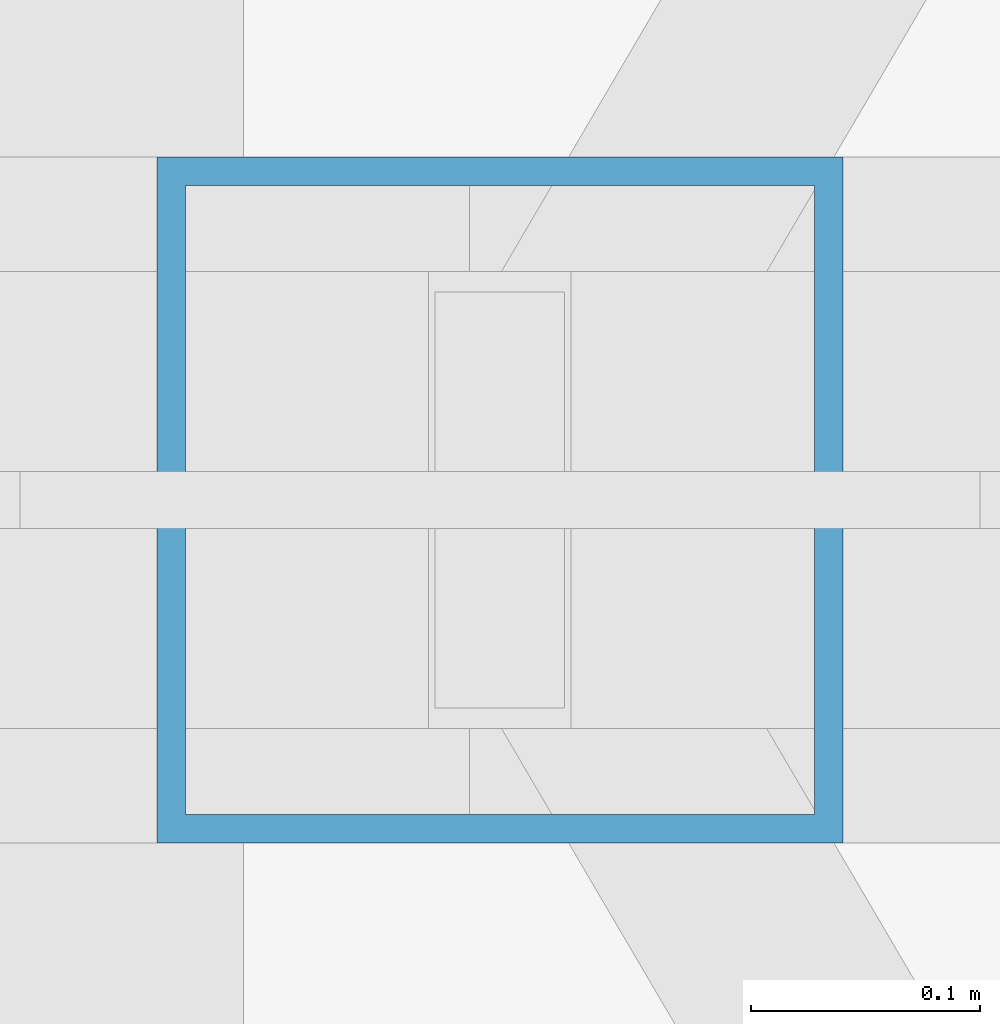
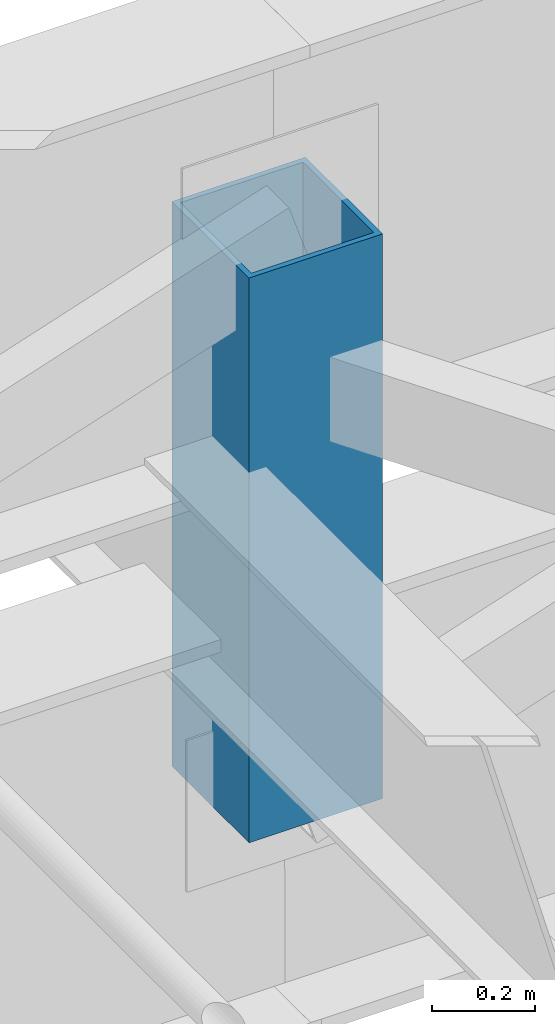
# One storey, part 31 of 184: 1 member.
"""IFC4 building model written with IfcOpenShell, lengths in metres."""

from ifc_helpers import new_model, si_unit, direction, frame, origin, origin_2d, place, context, subcontext, project, spatial, hollow_rectangle, extrude, material, material_profile, profile_set, type_object, element, save


model = new_model("IFC4")

# Units and contexts
model_context = context("Model", 3, precision=1e-05, world=origin(), true_north=direction((0.0, 1.0)))
body_context = subcontext(model_context, "Body", "Model", "MODEL_VIEW")
ifc_project = project(units=[si_unit("LENGTHUNIT", "METRE"), si_unit("AREAUNIT", "SQUARE_METRE"), si_unit("VOLUMEUNIT", "CUBIC_METRE"), si_unit("PLANEANGLEUNIT", "RADIAN"), si_unit("MASSUNIT", "GRAM", prefix="KILO")], contexts=[model_context])

# Site, building, storey
site_placement = place(None, origin())
site = spatial("IfcSite", under=ifc_project, at=site_placement, CompositionType="ELEMENT")
building_placement = place(site_placement, origin())
building = spatial("IfcBuilding", under=site, at=building_placement, Name="Kalgoora Escarpment Arena", CompositionType="ELEMENT")
storey_placement = place(building_placement, frame((0.0, 0.0, 27.60009765625)))
storey = spatial("IfcBuildingStorey", under=building, at=storey_placement, Name="Roof Level", CompositionType="ELEMENT", Elevation=27.60009765625)

# Member
ifc_material = material(Name="Structural steel C450 (450 MPa)", Category="steel")
ifc_material_profile = material_profile(ifc_material, hollow_rectangle(XDim=0.300048828125, YDim=0.300048828125, WallThickness=0.012451171875, at=origin_2d()))
ifc_profile_set = profile_set([ifc_material_profile], Name="Structural steel C450 (450 MPa)")
member_type = type_object("IfcMemberType", Name="MEM-TRUSS-POST", PredefinedType="POST", material=ifc_profile_set)
member_placement = place(storey_placement, frame((80.60009765625, 64.0, -1.610107421875), z_axis=(0.0, 0.0, 1.0), x_axis=(1.0, 0.0, 0.0)))
element("IfcMember", 1, at=member_placement, inside=storey, type_object=member_type, Name="Radial ROOF TRUSS spine 5 post 9", PredefinedType="POST", context=body_context, shape_type="SweptSolid", body=[
    extrude(hollow_rectangle(XDim=0.300048828125, YDim=0.300048828125, WallThickness=0.012451171875, at=origin_2d()), origin(), (0.0, 0.0, 1.0), 1.340087890625),
])

save(model, "model.ifc")
